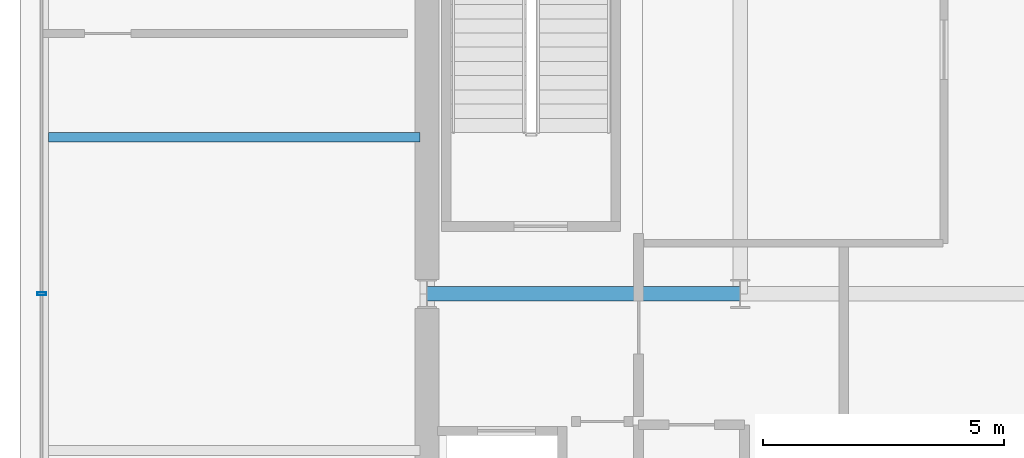
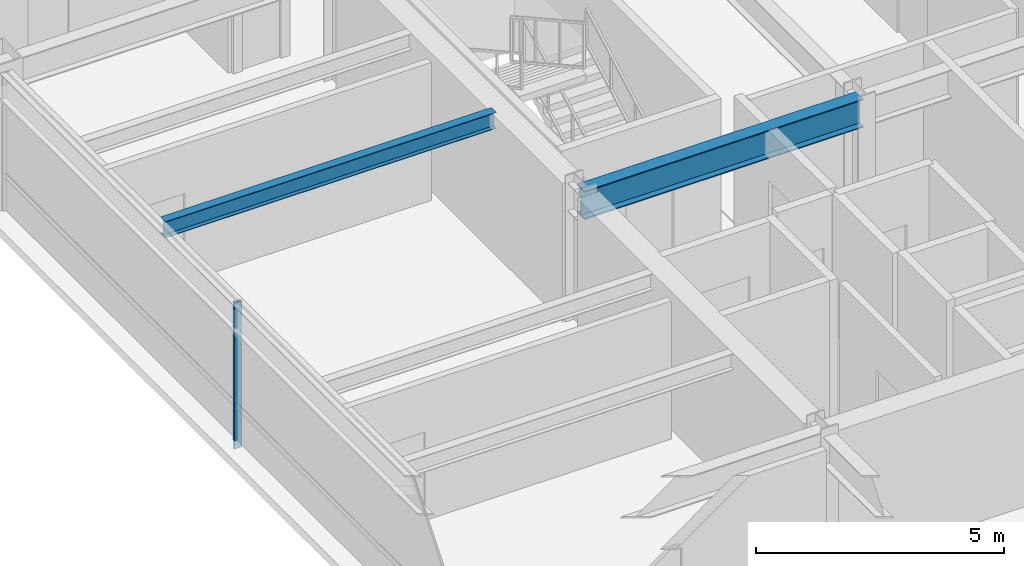
# One storey, part 8 of 28: 2 beams, 1 member, 1 element without a shape of its own.
"""IFC4 building model written with IfcOpenShell, lengths in metres."""

from ifc_helpers import new_model, si_unit, direction, frame, origin, origin_2d, place, context, subcontext, project, spatial, hollow_rectangle, i_section, extrude, material, layer, layer_set, material_profile, profile_set, type_object, element, aggregate, save


model = new_model("IFC4")

# Units and contexts
model_context = context("Model", 3, precision=1e-05, world=origin(), true_north=direction((0.0, 1.0)))
body_context = subcontext(model_context, "Body", "Model", "MODEL_VIEW")
ifc_project = project(units=[si_unit("LENGTHUNIT", "METRE"), si_unit("AREAUNIT", "SQUARE_METRE"), si_unit("VOLUMEUNIT", "CUBIC_METRE"), si_unit("PLANEANGLEUNIT", "RADIAN"), si_unit("MASSUNIT", "GRAM", prefix="KILO")], contexts=[model_context])

# Site, building, storey
site_placement = place(None, origin())
site = spatial("IfcSite", under=ifc_project, at=site_placement, CompositionType="ELEMENT")
building_placement = place(site_placement, origin())
building = spatial("IfcBuilding", under=site, at=building_placement, Name="Brelmoor Portico Tower", CompositionType="ELEMENT")
storey_placement = place(building_placement, frame((0.0, 0.0, 142.199951171875)))
storey = spatial("IfcBuildingStorey", under=building, at=storey_placement, Name="L37", CompositionType="ELEMENT", Elevation=142.199951171875)

# Beams
ifc_material_1 = material(Name="Steel Q355B", Category="steel")
ifc_material_profile_1 = material_profile(ifc_material_1, i_section(OverallWidth=0.199951171875, OverallDepth=0.39990234375, WebThickness=0.008056640625, FlangeThickness=0.012939453125, at=origin_2d()), Name="HN 400x200x8x13")
ifc_profile_set_1 = profile_set([ifc_material_profile_1], Name="Steel Q355B")
beam_type_1 = type_object("IfcBeamType", Name="BM-JS-400", PredefinedType="JOIST", material=ifc_profile_set_1)
beam_1_placement = place(storey_placement, frame((-22.409912109375, 3.25, 3.199951171875), z_axis=(1.0, 0.0, 0.0), x_axis=(0.0, 1.0, 0.0)))
element("IfcBeam", 1, at=beam_1_placement, inside=storey, type_object=beam_type_1, Name="L37 Secondary Wing Joist JS-W07", PredefinedType="JOIST", context=body_context, shape_type="SweptSolid", body=[
    extrude(i_section(OverallWidth=0.199951171875, OverallDepth=0.39990234375, WebThickness=0.008056640625, FlangeThickness=0.012939453125, at=origin_2d()), origin(), (0.0, 0.0, 1.0), 7.7099609375),
])
ifc_material_profile_2 = material_profile(ifc_material_1, i_section(OverallWidth=0.300048828125, OverallDepth=0.699951171875, WebThickness=0.012939453125, FlangeThickness=0.02392578125, at=origin_2d()), Name="HN 700x300x13x24")
ifc_profile_set_2 = profile_set([ifc_material_profile_2], Name="Steel Q355B")
beam_type_2 = type_object("IfcBeamType", Name="BM-PG-700", PredefinedType="BEAM", material=ifc_profile_set_2)
beam_2_placement = place(storey_placement, frame((-14.550048828125, 0.0, 3.050048828125), z_axis=(1.0, 0.0, 0.0), x_axis=(0.0, 1.0, 0.0)))
element("IfcBeam", 2, at=beam_2_placement, inside=storey, type_object=beam_type_2, Name="L37 Primary Floor Girder PG-19", PredefinedType="BEAM", context=body_context, shape_type="SweptSolid", body=[
    extrude(i_section(OverallWidth=0.300048828125, OverallDepth=0.699951171875, WebThickness=0.012939453125, FlangeThickness=0.02392578125, at=origin_2d()), origin(), (0.0, 0.0, 1.0), 6.5),
])

# Curtain wall, member
ifc_material_2 = material(Name="Anodised Aluminium Alloy 6063-T6", Category="aluminium")
ifc_layer = layer(ifc_material_2, 0.179931640625)
ifc_layer_set = layer_set([ifc_layer], Name="Anodised Aluminium Alloy 6063-T6")
curtain_wall_type = type_object("IfcCurtainWallType", Name="CW-TOWER-Z2", PredefinedType="NOTDEFINED", material=ifc_layer_set)
curtain_wall_placement = place(storey_placement, origin())
curtain_wall = element("IfcCurtainWall", 3, at=curtain_wall_placement, inside=storey, type_object=curtain_wall_type, Name="L37 Curtain Wall CW-L37-03-2", PredefinedType="NOTDEFINED")
ifc_material_profile_3 = material_profile(ifc_material_2, hollow_rectangle(XDim=0.06494140625, YDim=0.179931640625, WallThickness=0.00390625, at=origin_2d()), Name="ALU MULLION 65x180")
ifc_profile_set_3 = profile_set([ifc_material_profile_3], Name="Anodised Aluminium Alloy 6063-T6")
member_type = type_object("IfcMemberType", Name="MB-CW-MULL-180", PredefinedType="MULLION", material=ifc_profile_set_3)
member_placement = place(storey_placement, frame((-22.550048828125, 0.0, -0.199951171875), z_axis=(0.0, 0.0, 1.0), x_axis=(0.0, 1.0, 0.0)))
member = element("IfcMember", 4, at=member_placement, type_object=member_type, Name="CW-L37-03-2 Mullion 01", PredefinedType="MULLION", context=body_context, shape_type="SweptSolid", body=[
    extrude(hollow_rectangle(XDim=0.06494140625, YDim=0.179931640625, WallThickness=0.00390625, at=origin_2d()), origin(), (0.0, 0.0, 1.0), 3.60009765625),
])
aggregate(curtain_wall, [member])

save(model, "model.ifc")
